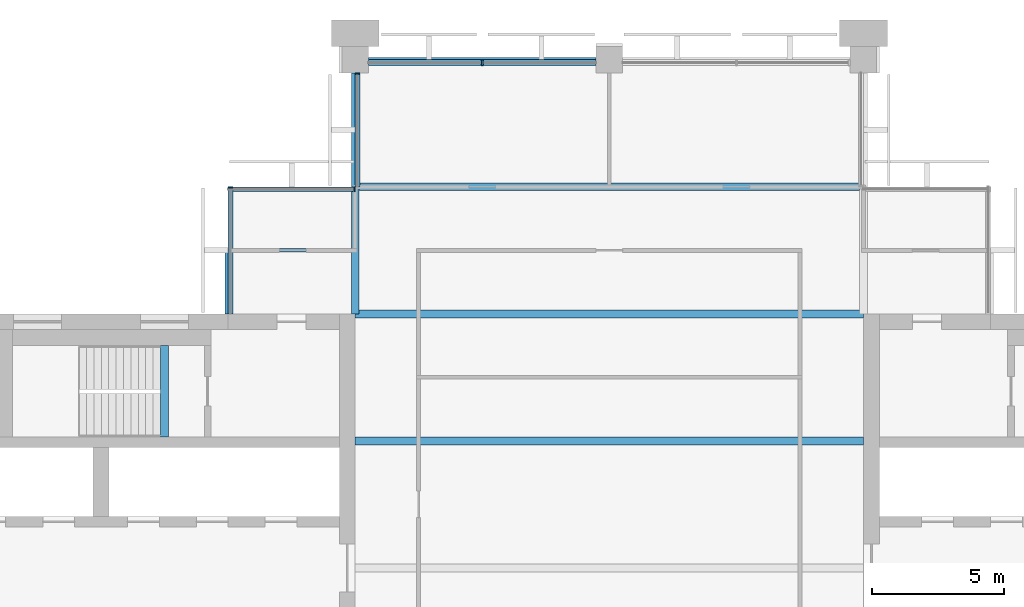
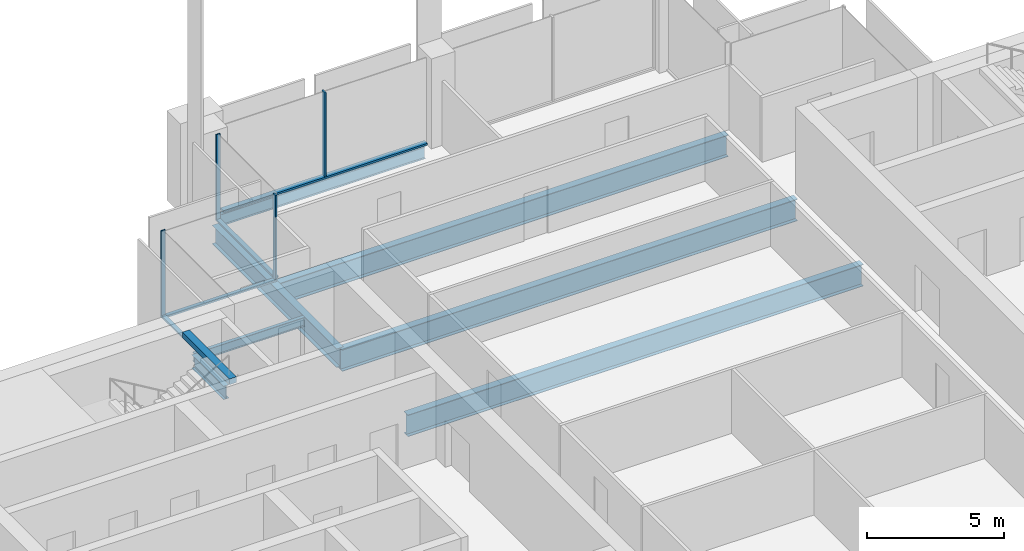
# One storey, part 5 of 12: 8 beams, 8 members, 4 elements without a shape of their own.
"""IFC4 building model written with IfcOpenShell, lengths in metres."""

from ifc_helpers import new_model, si_unit, direction, frame, origin, origin_2d, place, context, subcontext, project, spatial, rectangle, i_section, extrude, material, material_profile, profile_set, type_object, element, aggregate, save


model = new_model("IFC4")

# Units and contexts
model_context = context("Model", 3, precision=1e-05, world=origin(), true_north=direction((0.0, 1.0)))
body_context = subcontext(model_context, "Body", "Model", "MODEL_VIEW")
ifc_project = project(units=[si_unit("LENGTHUNIT", "METRE"), si_unit("AREAUNIT", "SQUARE_METRE"), si_unit("VOLUMEUNIT", "CUBIC_METRE"), si_unit("PLANEANGLEUNIT", "RADIAN"), si_unit("MASSUNIT", "GRAM", prefix="KILO")], contexts=[model_context])

# Site, building, storey
site_placement = place(None, origin())
site = spatial("IfcSite", under=ifc_project, at=site_placement, CompositionType="ELEMENT")
building_placement = place(site_placement, origin())
building = spatial("IfcBuilding", under=site, at=building_placement, Name="Baori Bourse Tower", CompositionType="ELEMENT")
storey_placement = place(building_placement, frame((0.0, 0.0, 306.300048828125)))
storey = spatial("IfcBuildingStorey", under=building, at=storey_placement, Name="L67", CompositionType="ELEMENT", Elevation=306.300048828125)

# Curtain wall, member
ifc_material_1 = material(Name="Pale anodised aluminium", Category="aluminium")
curtain_wall_type_1 = type_object("IfcCurtainWallType", Name="CW2 Curtain wall", PredefinedType="NOTDEFINED", material=ifc_material_1)
curtain_wall_1_placement = place(storey_placement, origin())
curtain_wall_1 = element("IfcCurtainWall", 1, at=curtain_wall_1_placement, inside=storey, type_object=curtain_wall_type_1, Name="Curtain wall CW2 L67 5", PredefinedType="NOTDEFINED")
ifc_material_2 = material(Name="Pale anodised aluminium", Category="aluminium")
ifc_material_profile_1 = material_profile(ifc_material_2, rectangle(XDim=0.179931640625, YDim=0.054931640625, at=origin_2d()), Name="Mullion 55x180")
ifc_profile_set_1 = profile_set([ifc_material_profile_1], Name="Pale anodised aluminium")
member_type_1 = type_object("IfcMemberType", Name="CW2 Curtain wall mullion", PredefinedType="MULLION", material=ifc_profile_set_1)
member_1_placement = place(storey_placement, frame((19.2900390625, 47.472412109375, 0.070068359375), z_axis=(0.0, 0.0, 1.0), x_axis=(1.0, 0.0, 0.0)))
member_1 = element("IfcMember", 2, at=member_1_placement, type_object=member_type_1, Name="Curtain wall CW2 mullion", PredefinedType="MULLION", context=body_context, shape_type="SweptSolid", body=[
    extrude(rectangle(XDim=0.179931640625, YDim=0.054931640625, at=origin_2d()), origin(), (0.0, 0.0, 1.0), 3.769775390625),
])

curtain_wall_2_placement = place(storey_placement, origin())
curtain_wall_2 = element("IfcCurtainWall", 3, at=curtain_wall_2_placement, inside=storey, type_object=curtain_wall_type_1, Name="Curtain wall CW2 L67 6", PredefinedType="NOTDEFINED")
member_2_placement = place(storey_placement, frame((19.172607421875, 43.110107421875, 0.070068359375), z_axis=(0.0, 0.0, 1.0), x_axis=(0.0, -1.0, 0.0)))
member_2 = element("IfcMember", 4, at=member_2_placement, type_object=member_type_1, Name="Curtain wall CW2 mullion", PredefinedType="MULLION", context=body_context, shape_type="SweptSolid", body=[
    extrude(rectangle(XDim=0.179931640625, YDim=0.054931640625, at=origin_2d()), origin(), (0.0, 0.0, 1.0), 3.769775390625),
])

curtain_wall_3_placement = place(storey_placement, origin())
curtain_wall_3 = element("IfcCurtainWall", 5, at=curtain_wall_3_placement, inside=storey, type_object=curtain_wall_type_1, Name="Curtain wall CW2 L67 7", PredefinedType="NOTDEFINED")
member_3_placement = place(storey_placement, frame((14.489990234375, 43.172607421875, 0.070068359375), z_axis=(0.0, 0.0, 1.0), x_axis=(1.0, 0.0, 0.0)))
member_3 = element("IfcMember", 6, at=member_3_placement, type_object=member_type_1, Name="Curtain wall CW2 mullion", PredefinedType="MULLION", context=body_context, shape_type="SweptSolid", body=[
    extrude(rectangle(XDim=0.179931640625, YDim=0.054931640625, at=origin_2d()), origin(), (0.0, 0.0, 1.0), 3.769775390625),
])

# Member
ifc_material_3 = material(Name="Pale anodised aluminium", Category="aluminium")
ifc_material_profile_2 = material_profile(ifc_material_3, rectangle(XDim=0.179931640625, YDim=0.070068359375, at=origin_2d()), Name="Transom 70x180")
ifc_profile_set_2 = profile_set([ifc_material_profile_2], Name="Pale anodised aluminium")
member_type_2 = type_object("IfcMemberType", Name="CW2 Curtain wall transom", PredefinedType="USERDEFINED", material=ifc_profile_set_2)
member_4_placement = place(storey_placement, frame((19.2900390625, 47.5, 0.034912109375), z_axis=(0.0, -1.0, 0.0), x_axis=(1.0, 0.0, 0.0)))
member_4 = element("IfcMember", 7, at=member_4_placement, type_object=member_type_2, Name="Curtain wall CW2 sill rail", ObjectType="TRANSOM", PredefinedType="USERDEFINED", context=body_context, shape_type="SweptSolid", body=[
    extrude(rectangle(XDim=0.179931640625, YDim=0.070068359375, at=origin_2d()), origin(), (0.0, 0.0, 1.0), 4.300048828125),
])

aggregate(curtain_wall_1, [member_4, member_1])

member_5_placement = place(storey_placement, frame((19.199951171875, 43.110107421875, 0.034912109375), z_axis=(-1.0, 0.0, 0.0), x_axis=(0.0, -1.0, 0.0)))
member_5 = element("IfcMember", 8, at=member_5_placement, type_object=member_type_2, Name="Curtain wall CW2 sill rail", ObjectType="TRANSOM", PredefinedType="USERDEFINED", context=body_context, shape_type="SweptSolid", body=[
    extrude(rectangle(XDim=0.179931640625, YDim=0.070068359375, at=origin_2d()), origin(), (0.0, 0.0, 1.0), 4.800048828125),
])

aggregate(curtain_wall_2, [member_5, member_2])

member_6_placement = place(storey_placement, frame((14.489990234375, 43.199951171875, 0.034912109375), z_axis=(0.0, -1.0, 0.0), x_axis=(1.0, 0.0, 0.0)))
member_6 = element("IfcMember", 9, at=member_6_placement, type_object=member_type_2, Name="Curtain wall CW2 sill rail", ObjectType="TRANSOM", PredefinedType="USERDEFINED", context=body_context, shape_type="SweptSolid", body=[
    extrude(rectangle(XDim=0.179931640625, YDim=0.070068359375, at=origin_2d()), origin(), (0.0, 0.0, 1.0), 4.800048828125),
])

aggregate(curtain_wall_3, [member_6, member_3])

# Curtain wall, members
ifc_material_4 = material(Name="Pale anodised aluminium", Category="aluminium")
curtain_wall_type_2 = type_object("IfcCurtainWallType", Name="CW5 Curtain wall", PredefinedType="NOTDEFINED", material=ifc_material_4)
curtain_wall_4_placement = place(storey_placement, origin())
curtain_wall_4 = element("IfcCurtainWall", 10, at=curtain_wall_4_placement, inside=storey, type_object=curtain_wall_type_2, Name="Curtain wall CW5 L67 4", PredefinedType="NOTDEFINED")
ifc_material_5 = material(Name="Pale anodised aluminium", Category="aluminium")
ifc_material_profile_3 = material_profile(ifc_material_5, rectangle(XDim=0.219970703125, YDim=0.06494140625, at=origin_2d()), Name="Mullion 65x220")
ifc_profile_set_3 = profile_set([ifc_material_profile_3], Name="Pale anodised aluminium")
member_type_3 = type_object("IfcMemberType", Name="CW5 Curtain wall mullion", PredefinedType="MULLION", material=ifc_profile_set_3)
member_7_placement = place(storey_placement, frame((24.0, 47.889892578125, 0.0849609375), z_axis=(0.0, 0.0, 1.0), x_axis=(0.0, -1.0, 0.0)))
member_7 = element("IfcMember", 11, at=member_7_placement, type_object=member_type_3, Name="Curtain wall CW5 mullion", PredefinedType="MULLION", context=body_context, shape_type="SweptSolid", body=[
    extrude(rectangle(XDim=0.219970703125, YDim=0.06494140625, at=origin_2d()), origin(), (0.0, 0.0, 1.0), 3.7548828125),
])
ifc_material_6 = material(Name="Pale anodised aluminium", Category="aluminium")
ifc_material_profile_4 = material_profile(ifc_material_6, rectangle(XDim=0.219970703125, YDim=0.0849609375, at=origin_2d()), Name="Transom 85x220")
ifc_profile_set_4 = profile_set([ifc_material_profile_4], Name="Pale anodised aluminium")
member_type_4 = type_object("IfcMemberType", Name="CW5 Curtain wall transom", PredefinedType="USERDEFINED", material=ifc_profile_set_4)
member_8_placement = place(storey_placement, frame((28.300048828125, 47.889892578125, 0.04248046875), z_axis=(-1.0, 0.0, 0.0), x_axis=(0.0, -1.0, 0.0)))
member_8 = element("IfcMember", 12, at=member_8_placement, type_object=member_type_4, Name="Curtain wall CW5 sill rail", ObjectType="TRANSOM", PredefinedType="USERDEFINED", context=body_context, shape_type="SweptSolid", body=[
    extrude(rectangle(XDim=0.219970703125, YDim=0.0849609375, at=origin_2d()), origin(), (0.0, 0.0, 1.0), 8.60009765625),
])
aggregate(curtain_wall_4, [member_8, member_7])

# Beams
ifc_material_7 = material(Name="Steel A992 Gr 50", Category="steel")
ifc_material_profile_5 = material_profile(ifc_material_7, i_section(OverallWidth=0.227783203125, OverallDepth=0.60205078125, WebThickness=0.010498046875, FlangeThickness=0.014892578125, at=origin_2d()), Name="W24x68")
ifc_profile_set_5 = profile_set([ifc_material_profile_5], Name="Steel A992 Gr 50")
beam_type_1 = type_object("IfcBeamType", Name="Core bracket W24x68", PredefinedType="BEAM", material=ifc_profile_set_5)
beam_1_placement = place(storey_placement, frame((14.39990234375, 38.39990234375, -0.4609375), z_axis=(0.0, 1.0, 0.0), x_axis=(-1.0, 0.0, 0.0)))
element("IfcBeam", 13, at=beam_1_placement, inside=storey, type_object=beam_type_1, Name="Core bracket L67", PredefinedType="BEAM", context=body_context, shape_type="SweptSolid", body=[
    extrude(i_section(OverallWidth=0.227783203125, OverallDepth=0.60205078125, WebThickness=0.010498046875, FlangeThickness=0.014892578125, at=origin_2d()), origin(), (0.0, 0.0, 1.0), 2.329833984375),
])
ifc_material_8 = material(Name="Steel A992 Gr 50", Category="steel")
ifc_material_profile_6 = material_profile(ifc_material_8, i_section(OverallWidth=0.1650390625, OverallDepth=0.52587890625, WebThickness=0.0087890625, FlangeThickness=0.011474609375, at=origin_2d()), Name="W21x44")
ifc_profile_set_6 = profile_set([ifc_material_profile_6], Name="Steel A992 Gr 50")
beam_type_2 = type_object("IfcBeamType", Name="Edge beam W21x44", PredefinedType="BEAM", material=ifc_profile_set_6)
beam_2_placement = place(storey_placement, frame((19.699951171875, 48.0, -0.4228515625), z_axis=(1.0, 0.0, 0.0), x_axis=(0.0, 1.0, 0.0)))
element("IfcBeam", 14, at=beam_2_placement, inside=storey, type_object=beam_type_2, Name="Edge beam L67", PredefinedType="BEAM", context=body_context, shape_type="SweptSolid", body=[
    extrude(i_section(OverallWidth=0.1650390625, OverallDepth=0.52587890625, WebThickness=0.0087890625, FlangeThickness=0.011474609375, at=origin_2d()), origin(), (0.0, 0.0, 1.0), 8.60009765625),
])
ifc_material_9 = material(Name="Steel A992 Gr 50", Category="steel")
ifc_material_profile_7 = material_profile(ifc_material_9, i_section(OverallWidth=0.2998046875, OverallDepth=0.97021484375, WebThickness=0.01611328125, FlangeThickness=0.02099609375, at=origin_2d()), Name="W40x149")
ifc_profile_set_7 = profile_set([ifc_material_profile_7], Name="Steel A992 Gr 50")
beam_type_3 = type_object("IfcBeamType", Name="Floor beam W40x149", PredefinedType="BEAM", material=ifc_profile_set_7)
for number, where, z_axis, x_axis, name in (
    (15, (19.199951171875, 33.60009765625, -0.645263671875), (1.0, 0.0, 0.0), (0.0, 1.0, 0.0), "Floor beam L67"),
    (16, (19.199951171875, 38.39990234375, -0.645263671875), (1.0, 0.0, 0.0), (0.0, 1.0, 0.0), "Floor beam L67"),
):
    element("IfcBeam", number, at=place(storey_placement, frame(where, z_axis=z_axis, x_axis=x_axis)), inside=storey, type_object=beam_type_3, Name=name, PredefinedType="BEAM", context=body_context, shape_type="SweptSolid", body=[
        extrude(i_section(OverallWidth=0.2998046875, OverallDepth=0.97021484375, WebThickness=0.01611328125, FlangeThickness=0.02099609375, at=origin_2d()), origin(), (0.0, 0.0, 1.0), 19.199951171875),
    ])
beam_3_placement = place(storey_placement, frame((19.345947265625, 43.199951171875, -0.645263671875), z_axis=(1.0, 0.0, 0.0), x_axis=(0.0, 1.0, 0.0)))
element("IfcBeam", 17, at=beam_3_placement, inside=storey, type_object=beam_type_3, Name="Floor beam L67", PredefinedType="BEAM", context=body_context, shape_type="SweptSolid", body=[
    extrude(i_section(OverallWidth=0.2998046875, OverallDepth=0.97021484375, WebThickness=0.01611328125, FlangeThickness=0.02099609375, at=origin_2d()), origin(), (0.0, 0.0, 1.0), 18.907958984375),
])
ifc_material_10 = material(Name="Steel A992 Gr 50", Category="steel")
ifc_material_profile_8 = material_profile(ifc_material_10, i_section(OverallWidth=0.2919921875, OverallDepth=0.835693359375, WebThickness=0.013916015625, FlangeThickness=0.018798828125, at=origin_2d()), Name="W33x118")
ifc_profile_set_8 = profile_set([ifc_material_profile_8], Name="Steel A992 Gr 50")
beam_type_4 = type_object("IfcBeamType", Name="Girder W33x118", PredefinedType="BEAM", material=ifc_profile_set_8)
beam_4_placement = place(storey_placement, frame((19.199951171875, 38.39990234375, -0.577880859375), z_axis=(0.0, 1.0, 0.0), x_axis=(-1.0, 0.0, 0.0)))
element("IfcBeam", 18, at=beam_4_placement, inside=storey, type_object=beam_type_4, Name="Girder L67", PredefinedType="BEAM", context=body_context, shape_type="SweptSolid", body=[
    extrude(i_section(OverallWidth=0.2919921875, OverallDepth=0.835693359375, WebThickness=0.013916015625, FlangeThickness=0.018798828125, at=origin_2d()), origin(), (0.0, 0.0, 1.0), 9.10009765625),
])
ifc_material_11 = material(Name="Concrete f'c 50 MPa", Category="concrete")
ifc_material_profile_9 = material_profile(ifc_material_11, rectangle(XDim=0.300048828125, YDim=0.25, at=origin_2d()), Name="RC 300x250")
ifc_profile_set_9 = profile_set([ifc_material_profile_9], Name="Concrete f'c 50 MPa")
beam_type_5 = type_object("IfcBeamType", Name="Stair nib beam RC 300x250", PredefinedType="BEAM", material=ifc_profile_set_9)
beam_5_placement = place(storey_placement, frame((12.0, 33.75, 3.71484375), z_axis=(0.0, 1.0, 0.0), x_axis=(-1.0, 0.0, 0.0)))
element("IfcBeam", 19, at=beam_5_placement, inside=storey, type_object=beam_type_5, Name="Stair WB nib beam L68", PredefinedType="BEAM", context=body_context, shape_type="SweptSolid", body=[
    extrude(rectangle(XDim=0.300048828125, YDim=0.25, at=origin_2d()), origin(), (0.0, 0.0, 1.0), 3.449951171875),
])
ifc_material_12 = material(Name="Steel A992 Gr 50", Category="steel")
ifc_material_profile_10 = material_profile(ifc_material_12, i_section(OverallWidth=0.140380859375, OverallDepth=0.40380859375, WebThickness=0.007080078125, FlangeThickness=0.01123046875, at=origin_2d()), Name="W16x31")
ifc_profile_set_10 = profile_set([ifc_material_profile_10], Name="Steel A992 Gr 50")
beam_type_6 = type_object("IfcBeamType", Name="Trimmer beam W16x31", PredefinedType="BEAM", material=ifc_profile_set_10)
beam_6_placement = place(storey_placement, frame((14.39990234375, 40.800048828125, -0.362060546875), z_axis=(1.0, 0.0, 0.0), x_axis=(0.0, 1.0, 0.0)))
element("IfcBeam", 20, at=beam_6_placement, inside=storey, type_object=beam_type_6, Name="Trimmer beam L67", PredefinedType="BEAM", context=body_context, shape_type="SweptSolid", body=[
    extrude(i_section(OverallWidth=0.140380859375, OverallDepth=0.40380859375, WebThickness=0.007080078125, FlangeThickness=0.01123046875, at=origin_2d()), origin(), (0.0, 0.0, 1.0), 4.654052734375),
])

save(model, "model.ifc")
